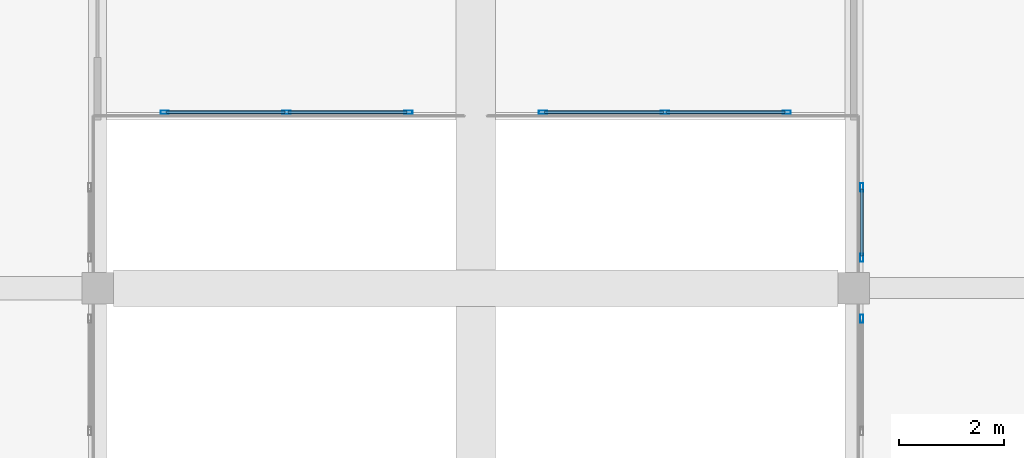
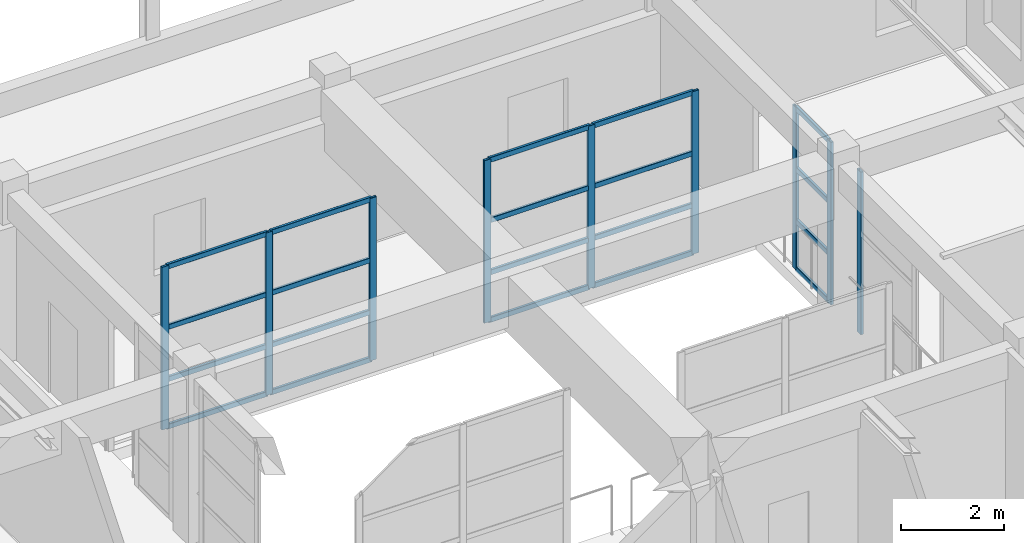
# One storey, part 37 of 99: 29 members, 4 elements without a shape of their own.
"""IFC4 building model written with IfcOpenShell, lengths in metres."""

from ifc_helpers import new_model, si_unit, direction, frame, origin, origin_2d, place, context, subcontext, project, spatial, hollow_rectangle, extrude, material, material_profile, profile_set, type_object, element, aggregate, save


model = new_model("IFC4")

# Units and contexts
model_context = context("Model", 3, precision=1e-05, world=origin(), true_north=direction((0.0, 1.0)))
body_context = subcontext(model_context, "Body", "Model", "MODEL_VIEW")
ifc_project = project(units=[si_unit("LENGTHUNIT", "METRE"), si_unit("AREAUNIT", "SQUARE_METRE"), si_unit("VOLUMEUNIT", "CUBIC_METRE"), si_unit("PLANEANGLEUNIT", "RADIAN"), si_unit("MASSUNIT", "GRAM", prefix="KILO")], contexts=[model_context])

# Site, building, storey
site_placement = place(None, origin())
site = spatial("IfcSite", under=ifc_project, at=site_placement, CompositionType="ELEMENT")
building_placement = place(site_placement, origin())
building = spatial("IfcBuilding", under=site, at=building_placement, Name="Bramveld Media Centre", CompositionType="ELEMENT")
storey_placement = place(building_placement, frame((0.0, 0.0, 13.800048828125)))
storey = spatial("IfcBuildingStorey", under=building, at=storey_placement, Name="L03", CompositionType="ELEMENT", Elevation=13.800048828125)

# Curtain wall, members
ifc_material_1 = material(Name="Thermally broken anodized bronze aluminium unitized curtain wall with solar-control triple glazing", Category="aluminium")
curtain_wall_type_1 = type_object("IfcCurtainWallType", Name="CW-ATR-4700x3840", PredefinedType="NOTDEFINED", material=ifc_material_1)
curtain_wall_1_placement = place(storey_placement, origin())
curtain_wall_1 = element("IfcCurtainWall", 1, at=curtain_wall_1_placement, inside=storey, type_object=curtain_wall_type_1, Name="V6 L03 atrium acoustic screen N1-1", PredefinedType="NOTDEFINED")
ifc_material_2 = material(Name="Thermally broken anodized bronze aluminium EN AW-6063 T6 curtain-wall framing", Category="aluminium")
ifc_material_profile_1 = material_profile(ifc_material_2, hollow_rectangle(XDim=0.06005859375, YDim=0.159912109375, WallThickness=0.00390625, InnerFilletRadius=0.00390625, OuterFilletRadius=0.008056640625, at=origin_2d()), Name="AL-MULL 60x160")
ifc_profile_set_1 = profile_set([ifc_material_profile_1], Name="Thermally broken anodized bronze aluminium EN AW-6063 T6 curtain-wall framing")
member_type_1 = type_object("IfcMemberType", Name="CW-MULL-INT", PredefinedType="MULLION", material=ifc_profile_set_1)
member_1_placement = place(storey_placement, frame((81.280029296875, 108.14990234375, 0.0), z_axis=(0.0, 0.0, 1.0), x_axis=(0.0, 1.0, 0.0)))
member_1 = element("IfcMember", 2, at=member_1_placement, type_object=member_type_1, Name="CW-AT-4738 mullion 1", PredefinedType="MULLION", context=body_context, shape_type="SweptSolid", body=[
    extrude(hollow_rectangle(XDim=0.06005859375, YDim=0.159912109375, WallThickness=0.00390625, InnerFilletRadius=0.00390625, OuterFilletRadius=0.008056640625, at=origin_2d()), origin(), (0.0, 0.0, 1.0), 3.83984375),
])
member_2_placement = place(storey_placement, frame((83.60009765625, 108.14990234375, 0.0), z_axis=(0.0, 0.0, 1.0), x_axis=(0.0, 1.0, 0.0)))
member_2 = element("IfcMember", 3, at=member_2_placement, type_object=member_type_1, Name="CW-AT-4738 mullion 2", PredefinedType="MULLION", context=body_context, shape_type="SweptSolid", body=[
    extrude(hollow_rectangle(XDim=0.06005859375, YDim=0.159912109375, WallThickness=0.00390625, InnerFilletRadius=0.00390625, OuterFilletRadius=0.008056640625, at=origin_2d()), origin(), (0.0, 0.0, 1.0), 3.83984375),
])
member_3_placement = place(storey_placement, frame((85.919921875, 108.14990234375, 0.0), z_axis=(0.0, 0.0, 1.0), x_axis=(0.0, 1.0, 0.0)))
member_3 = element("IfcMember", 4, at=member_3_placement, type_object=member_type_1, Name="CW-AT-4738 mullion 3", PredefinedType="MULLION", context=body_context, shape_type="SweptSolid", body=[
    extrude(hollow_rectangle(XDim=0.06005859375, YDim=0.159912109375, WallThickness=0.00390625, InnerFilletRadius=0.00390625, OuterFilletRadius=0.008056640625, at=origin_2d()), origin(), (0.0, 0.0, 1.0), 3.83984375),
])

curtain_wall_2_placement = place(storey_placement, origin())
curtain_wall_2 = element("IfcCurtainWall", 5, at=curtain_wall_2_placement, inside=storey, type_object=curtain_wall_type_1, Name="V6 L03 atrium acoustic screen N2-1", PredefinedType="NOTDEFINED")
member_4_placement = place(storey_placement, frame((88.47998046875, 108.14990234375, 0.0), z_axis=(0.0, 0.0, 1.0), x_axis=(0.0, 1.0, 0.0)))
member_4 = element("IfcMember", 6, at=member_4_placement, type_object=member_type_1, Name="CW-AT-4738 mullion 1", PredefinedType="MULLION", context=body_context, shape_type="SweptSolid", body=[
    extrude(hollow_rectangle(XDim=0.06005859375, YDim=0.159912109375, WallThickness=0.00390625, InnerFilletRadius=0.00390625, OuterFilletRadius=0.008056640625, at=origin_2d()), origin(), (0.0, 0.0, 1.0), 3.83984375),
])
member_5_placement = place(storey_placement, frame((90.800048828125, 108.14990234375, 0.0), z_axis=(0.0, 0.0, 1.0), x_axis=(0.0, 1.0, 0.0)))
member_5 = element("IfcMember", 7, at=member_5_placement, type_object=member_type_1, Name="CW-AT-4738 mullion 2", PredefinedType="MULLION", context=body_context, shape_type="SweptSolid", body=[
    extrude(hollow_rectangle(XDim=0.06005859375, YDim=0.159912109375, WallThickness=0.00390625, InnerFilletRadius=0.00390625, OuterFilletRadius=0.008056640625, at=origin_2d()), origin(), (0.0, 0.0, 1.0), 3.83984375),
])
member_6_placement = place(storey_placement, frame((93.1201171875, 108.14990234375, 0.0), z_axis=(0.0, 0.0, 1.0), x_axis=(0.0, 1.0, 0.0)))
member_6 = element("IfcMember", 8, at=member_6_placement, type_object=member_type_1, Name="CW-AT-4738 mullion 3", PredefinedType="MULLION", context=body_context, shape_type="SweptSolid", body=[
    extrude(hollow_rectangle(XDim=0.06005859375, YDim=0.159912109375, WallThickness=0.00390625, InnerFilletRadius=0.00390625, OuterFilletRadius=0.008056640625, at=origin_2d()), origin(), (0.0, 0.0, 1.0), 3.83984375),
])

# Curtain wall, member
ifc_material_3 = material(Name="Thermally broken anodized bronze aluminium unitized curtain wall with solar-control triple glazing", Category="aluminium")
curtain_wall_type_2 = type_object("IfcCurtainWallType", Name="CW-ATR-2200x3840", PredefinedType="NOTDEFINED", material=ifc_material_3)
curtain_wall_3_placement = place(storey_placement, origin())
curtain_wall_3 = element("IfcCurtainWall", 9, at=curtain_wall_3_placement, inside=storey, type_object=curtain_wall_type_2, Name="V6 L03 atrium acoustic screen E-1", PredefinedType="NOTDEFINED")
member_7_placement = place(storey_placement, frame((94.550048828125, 104.219970703125, 0.0), z_axis=(0.0, 0.0, 1.0), x_axis=(-1.0, 0.0, 0.0)))
member_7 = element("IfcMember", 10, at=member_7_placement, type_object=member_type_1, Name="CW-AT-2238 mullion 2", PredefinedType="MULLION", context=body_context, shape_type="SweptSolid", body=[
    extrude(hollow_rectangle(XDim=0.06005859375, YDim=0.159912109375, WallThickness=0.00390625, InnerFilletRadius=0.00390625, OuterFilletRadius=0.008056640625, at=origin_2d()), origin(), (0.0, 0.0, 1.0), 3.83984375),
])
aggregate(curtain_wall_3, [member_7])

# Curtain wall, members
ifc_material_4 = material(Name="Thermally broken anodized bronze aluminium unitized curtain wall with solar-control triple glazing", Category="aluminium")
curtain_wall_type_3 = type_object("IfcCurtainWallType", Name="CW-ATR-1400x3840", PredefinedType="NOTDEFINED", material=ifc_material_4)
curtain_wall_4_placement = place(storey_placement, origin())
curtain_wall_4 = element("IfcCurtainWall", 11, at=curtain_wall_4_placement, inside=storey, type_object=curtain_wall_type_3, Name="V6 L03 atrium acoustic screen E-2", PredefinedType="NOTDEFINED")
member_8_placement = place(storey_placement, frame((94.550048828125, 105.3798828125, 0.0), z_axis=(0.0, 0.0, 1.0), x_axis=(-1.0, 0.0, 0.0)))
member_8 = element("IfcMember", 12, at=member_8_placement, type_object=member_type_1, Name="CW-AT-1438 mullion 1", PredefinedType="MULLION", context=body_context, shape_type="SweptSolid", body=[
    extrude(hollow_rectangle(XDim=0.06005859375, YDim=0.159912109375, WallThickness=0.00390625, InnerFilletRadius=0.00390625, OuterFilletRadius=0.008056640625, at=origin_2d()), origin(), (0.0, 0.0, 1.0), 3.83984375),
])
member_9_placement = place(storey_placement, frame((94.550048828125, 106.719970703125, 0.0), z_axis=(0.0, 0.0, 1.0), x_axis=(-1.0, 0.0, 0.0)))
member_9 = element("IfcMember", 13, at=member_9_placement, type_object=member_type_1, Name="CW-AT-1438 mullion 2", PredefinedType="MULLION", context=body_context, shape_type="SweptSolid", body=[
    extrude(hollow_rectangle(XDim=0.06005859375, YDim=0.159912109375, WallThickness=0.00390625, InnerFilletRadius=0.00390625, OuterFilletRadius=0.008056640625, at=origin_2d()), origin(), (0.0, 0.0, 1.0), 3.83984375),
])

# Member
ifc_material_5 = material(Name="Thermally broken anodized bronze aluminium EN AW-6063 T6 curtain-wall framing", Category="aluminium")
ifc_material_profile_2 = material_profile(ifc_material_5, hollow_rectangle(XDim=0.06005859375, YDim=0.1201171875, WallThickness=0.00341796875, InnerFilletRadius=0.00341796875, OuterFilletRadius=0.007080078125, at=origin_2d()), Name="AL-TRAN 60x120")
ifc_profile_set_2 = profile_set([ifc_material_profile_2], Name="Thermally broken anodized bronze aluminium EN AW-6063 T6 curtain-wall framing")
member_type_2 = type_object("IfcMemberType", Name="CW-TRAN-INT", PredefinedType="USERDEFINED", material=ifc_profile_set_2)
member_10_placement = place(storey_placement, frame((81.31005859375, 108.14990234375, 0.030029296875), z_axis=(1.0, 0.0, 0.0), x_axis=(0.0, 1.0, 0.0)))
member_10 = element("IfcMember", 14, at=member_10_placement, type_object=member_type_2, Name="CW-AT-4738 transom 1.1", ObjectType="TRANSOM", PredefinedType="USERDEFINED", context=body_context, shape_type="SweptSolid", body=[
    extrude(hollow_rectangle(XDim=0.06005859375, YDim=0.1201171875, WallThickness=0.00341796875, InnerFilletRadius=0.00341796875, OuterFilletRadius=0.007080078125, at=origin_2d()), origin(), (0.0, 0.0, 1.0), 2.260009765625),
])

member_11_placement = place(storey_placement, frame((81.31005859375, 108.14990234375, 1.14990234375), z_axis=(1.0, 0.0, 0.0), x_axis=(0.0, 1.0, 0.0)))
member_11 = element("IfcMember", 15, at=member_11_placement, type_object=member_type_2, Name="CW-AT-4738 transom 1.2", ObjectType="TRANSOM", PredefinedType="USERDEFINED", context=body_context, shape_type="SweptSolid", body=[
    extrude(hollow_rectangle(XDim=0.06005859375, YDim=0.1201171875, WallThickness=0.00341796875, InnerFilletRadius=0.00341796875, OuterFilletRadius=0.007080078125, at=origin_2d()), origin(), (0.0, 0.0, 1.0), 2.260009765625),
])

member_12_placement = place(storey_placement, frame((81.31005859375, 108.14990234375, 2.380859375), z_axis=(1.0, 0.0, 0.0), x_axis=(0.0, 1.0, 0.0)))
member_12 = element("IfcMember", 16, at=member_12_placement, type_object=member_type_2, Name="CW-AT-4738 transom 1.3", ObjectType="TRANSOM", PredefinedType="USERDEFINED", context=body_context, shape_type="SweptSolid", body=[
    extrude(hollow_rectangle(XDim=0.06005859375, YDim=0.1201171875, WallThickness=0.00341796875, InnerFilletRadius=0.00341796875, OuterFilletRadius=0.007080078125, at=origin_2d()), origin(), (0.0, 0.0, 1.0), 2.260009765625),
])

member_13_placement = place(storey_placement, frame((81.31005859375, 108.14990234375, 3.81005859375), z_axis=(1.0, 0.0, 0.0), x_axis=(0.0, 1.0, 0.0)))
member_13 = element("IfcMember", 17, at=member_13_placement, type_object=member_type_2, Name="CW-AT-4738 transom 1.4", ObjectType="TRANSOM", PredefinedType="USERDEFINED", context=body_context, shape_type="SweptSolid", body=[
    extrude(hollow_rectangle(XDim=0.06005859375, YDim=0.1201171875, WallThickness=0.00341796875, InnerFilletRadius=0.00341796875, OuterFilletRadius=0.007080078125, at=origin_2d()), origin(), (0.0, 0.0, 1.0), 2.260009765625),
])

member_14_placement = place(storey_placement, frame((83.6298828125, 108.14990234375, 0.030029296875), z_axis=(1.0, 0.0, 0.0), x_axis=(0.0, 1.0, 0.0)))
member_14 = element("IfcMember", 18, at=member_14_placement, type_object=member_type_2, Name="CW-AT-4738 transom 2.1", ObjectType="TRANSOM", PredefinedType="USERDEFINED", context=body_context, shape_type="SweptSolid", body=[
    extrude(hollow_rectangle(XDim=0.06005859375, YDim=0.1201171875, WallThickness=0.00341796875, InnerFilletRadius=0.00341796875, OuterFilletRadius=0.007080078125, at=origin_2d()), origin(), (0.0, 0.0, 1.0), 2.260009765625),
])

member_15_placement = place(storey_placement, frame((83.6298828125, 108.14990234375, 1.14990234375), z_axis=(1.0, 0.0, 0.0), x_axis=(0.0, 1.0, 0.0)))
member_15 = element("IfcMember", 19, at=member_15_placement, type_object=member_type_2, Name="CW-AT-4738 transom 2.2", ObjectType="TRANSOM", PredefinedType="USERDEFINED", context=body_context, shape_type="SweptSolid", body=[
    extrude(hollow_rectangle(XDim=0.06005859375, YDim=0.1201171875, WallThickness=0.00341796875, InnerFilletRadius=0.00341796875, OuterFilletRadius=0.007080078125, at=origin_2d()), origin(), (0.0, 0.0, 1.0), 2.260009765625),
])

member_16_placement = place(storey_placement, frame((83.6298828125, 108.14990234375, 2.380859375), z_axis=(1.0, 0.0, 0.0), x_axis=(0.0, 1.0, 0.0)))
member_16 = element("IfcMember", 20, at=member_16_placement, type_object=member_type_2, Name="CW-AT-4738 transom 2.3", ObjectType="TRANSOM", PredefinedType="USERDEFINED", context=body_context, shape_type="SweptSolid", body=[
    extrude(hollow_rectangle(XDim=0.06005859375, YDim=0.1201171875, WallThickness=0.00341796875, InnerFilletRadius=0.00341796875, OuterFilletRadius=0.007080078125, at=origin_2d()), origin(), (0.0, 0.0, 1.0), 2.260009765625),
])

member_17_placement = place(storey_placement, frame((83.6298828125, 108.14990234375, 3.81005859375), z_axis=(1.0, 0.0, 0.0), x_axis=(0.0, 1.0, 0.0)))
member_17 = element("IfcMember", 21, at=member_17_placement, type_object=member_type_2, Name="CW-AT-4738 transom 2.4", ObjectType="TRANSOM", PredefinedType="USERDEFINED", context=body_context, shape_type="SweptSolid", body=[
    extrude(hollow_rectangle(XDim=0.06005859375, YDim=0.1201171875, WallThickness=0.00341796875, InnerFilletRadius=0.00341796875, OuterFilletRadius=0.007080078125, at=origin_2d()), origin(), (0.0, 0.0, 1.0), 2.260009765625),
])

aggregate(curtain_wall_1, [member_1, member_2, member_3, member_10, member_11, member_12, member_13, member_14, member_15, member_16, member_17])

member_18_placement = place(storey_placement, frame((88.510009765625, 108.14990234375, 0.030029296875), z_axis=(1.0, 0.0, 0.0), x_axis=(0.0, 1.0, 0.0)))
member_18 = element("IfcMember", 22, at=member_18_placement, type_object=member_type_2, Name="CW-AT-4738 transom 1.1", ObjectType="TRANSOM", PredefinedType="USERDEFINED", context=body_context, shape_type="SweptSolid", body=[
    extrude(hollow_rectangle(XDim=0.06005859375, YDim=0.1201171875, WallThickness=0.00341796875, InnerFilletRadius=0.00341796875, OuterFilletRadius=0.007080078125, at=origin_2d()), origin(), (0.0, 0.0, 1.0), 2.260009765625),
])

member_19_placement = place(storey_placement, frame((88.510009765625, 108.14990234375, 1.14990234375), z_axis=(1.0, 0.0, 0.0), x_axis=(0.0, 1.0, 0.0)))
member_19 = element("IfcMember", 23, at=member_19_placement, type_object=member_type_2, Name="CW-AT-4738 transom 1.2", ObjectType="TRANSOM", PredefinedType="USERDEFINED", context=body_context, shape_type="SweptSolid", body=[
    extrude(hollow_rectangle(XDim=0.06005859375, YDim=0.1201171875, WallThickness=0.00341796875, InnerFilletRadius=0.00341796875, OuterFilletRadius=0.007080078125, at=origin_2d()), origin(), (0.0, 0.0, 1.0), 2.260009765625),
])

member_20_placement = place(storey_placement, frame((88.510009765625, 108.14990234375, 2.380859375), z_axis=(1.0, 0.0, 0.0), x_axis=(0.0, 1.0, 0.0)))
member_20 = element("IfcMember", 24, at=member_20_placement, type_object=member_type_2, Name="CW-AT-4738 transom 1.3", ObjectType="TRANSOM", PredefinedType="USERDEFINED", context=body_context, shape_type="SweptSolid", body=[
    extrude(hollow_rectangle(XDim=0.06005859375, YDim=0.1201171875, WallThickness=0.00341796875, InnerFilletRadius=0.00341796875, OuterFilletRadius=0.007080078125, at=origin_2d()), origin(), (0.0, 0.0, 1.0), 2.260009765625),
])

member_21_placement = place(storey_placement, frame((88.510009765625, 108.14990234375, 3.81005859375), z_axis=(1.0, 0.0, 0.0), x_axis=(0.0, 1.0, 0.0)))
member_21 = element("IfcMember", 25, at=member_21_placement, type_object=member_type_2, Name="CW-AT-4738 transom 1.4", ObjectType="TRANSOM", PredefinedType="USERDEFINED", context=body_context, shape_type="SweptSolid", body=[
    extrude(hollow_rectangle(XDim=0.06005859375, YDim=0.1201171875, WallThickness=0.00341796875, InnerFilletRadius=0.00341796875, OuterFilletRadius=0.007080078125, at=origin_2d()), origin(), (0.0, 0.0, 1.0), 2.260009765625),
])

member_22_placement = place(storey_placement, frame((90.830078125, 108.14990234375, 0.030029296875), z_axis=(1.0, 0.0, 0.0), x_axis=(0.0, 1.0, 0.0)))
member_22 = element("IfcMember", 26, at=member_22_placement, type_object=member_type_2, Name="CW-AT-4738 transom 2.1", ObjectType="TRANSOM", PredefinedType="USERDEFINED", context=body_context, shape_type="SweptSolid", body=[
    extrude(hollow_rectangle(XDim=0.06005859375, YDim=0.1201171875, WallThickness=0.00341796875, InnerFilletRadius=0.00341796875, OuterFilletRadius=0.007080078125, at=origin_2d()), origin(), (0.0, 0.0, 1.0), 2.260009765625),
])

member_23_placement = place(storey_placement, frame((90.830078125, 108.14990234375, 1.14990234375), z_axis=(1.0, 0.0, 0.0), x_axis=(0.0, 1.0, 0.0)))
member_23 = element("IfcMember", 27, at=member_23_placement, type_object=member_type_2, Name="CW-AT-4738 transom 2.2", ObjectType="TRANSOM", PredefinedType="USERDEFINED", context=body_context, shape_type="SweptSolid", body=[
    extrude(hollow_rectangle(XDim=0.06005859375, YDim=0.1201171875, WallThickness=0.00341796875, InnerFilletRadius=0.00341796875, OuterFilletRadius=0.007080078125, at=origin_2d()), origin(), (0.0, 0.0, 1.0), 2.260009765625),
])

member_24_placement = place(storey_placement, frame((90.830078125, 108.14990234375, 2.380859375), z_axis=(1.0, 0.0, 0.0), x_axis=(0.0, 1.0, 0.0)))
member_24 = element("IfcMember", 28, at=member_24_placement, type_object=member_type_2, Name="CW-AT-4738 transom 2.3", ObjectType="TRANSOM", PredefinedType="USERDEFINED", context=body_context, shape_type="SweptSolid", body=[
    extrude(hollow_rectangle(XDim=0.06005859375, YDim=0.1201171875, WallThickness=0.00341796875, InnerFilletRadius=0.00341796875, OuterFilletRadius=0.007080078125, at=origin_2d()), origin(), (0.0, 0.0, 1.0), 2.260009765625),
])

member_25_placement = place(storey_placement, frame((90.830078125, 108.14990234375, 3.81005859375), z_axis=(1.0, 0.0, 0.0), x_axis=(0.0, 1.0, 0.0)))
member_25 = element("IfcMember", 29, at=member_25_placement, type_object=member_type_2, Name="CW-AT-4738 transom 2.4", ObjectType="TRANSOM", PredefinedType="USERDEFINED", context=body_context, shape_type="SweptSolid", body=[
    extrude(hollow_rectangle(XDim=0.06005859375, YDim=0.1201171875, WallThickness=0.00341796875, InnerFilletRadius=0.00341796875, OuterFilletRadius=0.007080078125, at=origin_2d()), origin(), (0.0, 0.0, 1.0), 2.260009765625),
])

aggregate(curtain_wall_2, [member_4, member_5, member_6, member_18, member_19, member_20, member_21, member_22, member_23, member_24, member_25])

member_26_placement = place(storey_placement, frame((94.550048828125, 105.409912109375, 0.030029296875), z_axis=(0.0, 1.0, 0.0), x_axis=(-1.0, 0.0, 0.0)))
member_26 = element("IfcMember", 30, at=member_26_placement, type_object=member_type_2, Name="CW-AT-1438 transom 1.1", ObjectType="TRANSOM", PredefinedType="USERDEFINED", context=body_context, shape_type="SweptSolid", body=[
    extrude(hollow_rectangle(XDim=0.06005859375, YDim=0.1201171875, WallThickness=0.00341796875, InnerFilletRadius=0.00341796875, OuterFilletRadius=0.007080078125, at=origin_2d()), origin(), (0.0, 0.0, 1.0), 1.280029296875),
])

member_27_placement = place(storey_placement, frame((94.550048828125, 105.409912109375, 1.14990234375), z_axis=(0.0, 1.0, 0.0), x_axis=(-1.0, 0.0, 0.0)))
member_27 = element("IfcMember", 31, at=member_27_placement, type_object=member_type_2, Name="CW-AT-1438 transom 1.2", ObjectType="TRANSOM", PredefinedType="USERDEFINED", context=body_context, shape_type="SweptSolid", body=[
    extrude(hollow_rectangle(XDim=0.06005859375, YDim=0.1201171875, WallThickness=0.00341796875, InnerFilletRadius=0.00341796875, OuterFilletRadius=0.007080078125, at=origin_2d()), origin(), (0.0, 0.0, 1.0), 1.280029296875),
])

member_28_placement = place(storey_placement, frame((94.550048828125, 105.409912109375, 2.380859375), z_axis=(0.0, 1.0, 0.0), x_axis=(-1.0, 0.0, 0.0)))
member_28 = element("IfcMember", 32, at=member_28_placement, type_object=member_type_2, Name="CW-AT-1438 transom 1.3", ObjectType="TRANSOM", PredefinedType="USERDEFINED", context=body_context, shape_type="SweptSolid", body=[
    extrude(hollow_rectangle(XDim=0.06005859375, YDim=0.1201171875, WallThickness=0.00341796875, InnerFilletRadius=0.00341796875, OuterFilletRadius=0.007080078125, at=origin_2d()), origin(), (0.0, 0.0, 1.0), 1.280029296875),
])

member_29_placement = place(storey_placement, frame((94.550048828125, 105.409912109375, 3.81005859375), z_axis=(0.0, 1.0, 0.0), x_axis=(-1.0, 0.0, 0.0)))
member_29 = element("IfcMember", 33, at=member_29_placement, type_object=member_type_2, Name="CW-AT-1438 transom 1.4", ObjectType="TRANSOM", PredefinedType="USERDEFINED", context=body_context, shape_type="SweptSolid", body=[
    extrude(hollow_rectangle(XDim=0.06005859375, YDim=0.1201171875, WallThickness=0.00341796875, InnerFilletRadius=0.00341796875, OuterFilletRadius=0.007080078125, at=origin_2d()), origin(), (0.0, 0.0, 1.0), 1.280029296875),
])

aggregate(curtain_wall_4, [member_8, member_9, member_26, member_27, member_28, member_29])

save(model, "model.ifc")
